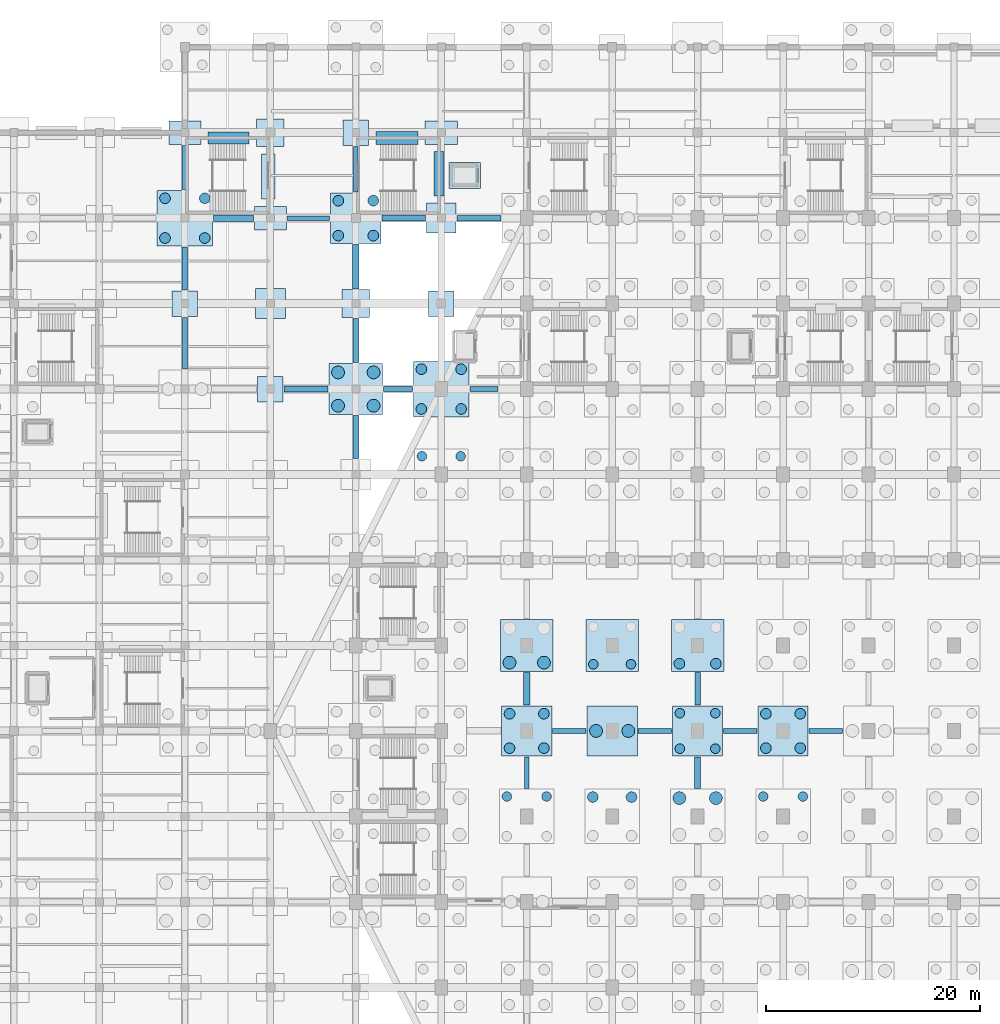
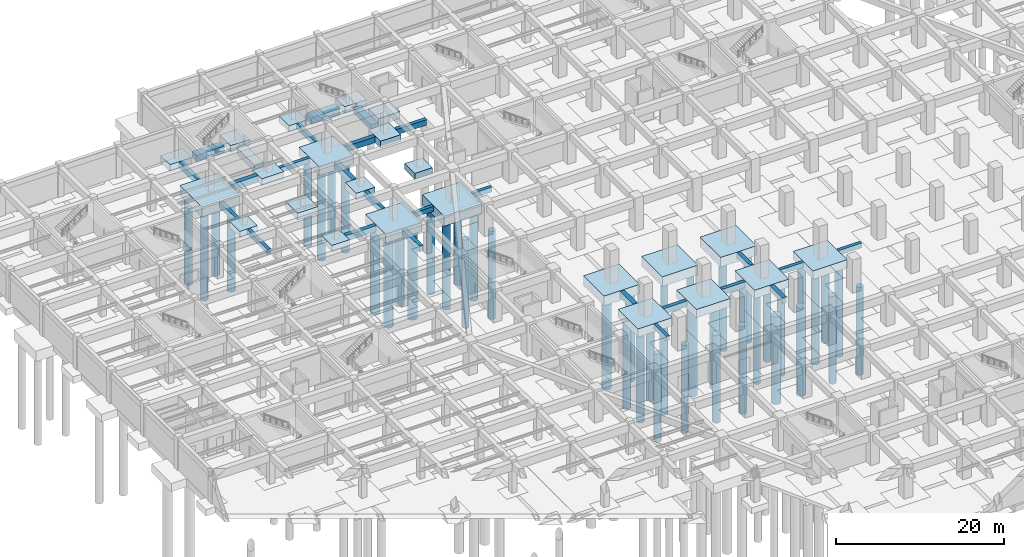
# One storey, part 8 of 36: 49 footings, 46 piles.
"""IFC4 building model written with IfcOpenShell, lengths in metres."""

from ifc_helpers import new_model, si_unit, direction, frame, origin, origin_2d, place, context, subcontext, project, spatial, rectangle, circle, extrude, material, material_profile, profile_set, type_object, element, save


model = new_model("IFC4")

# Units and contexts
model_context = context("Model", 3, precision=1e-05, world=origin(), true_north=direction((0.0, 1.0)))
body_context = subcontext(model_context, "Body", "Model", "MODEL_VIEW")
ifc_project = project(units=[si_unit("LENGTHUNIT", "METRE"), si_unit("AREAUNIT", "SQUARE_METRE"), si_unit("VOLUMEUNIT", "CUBIC_METRE"), si_unit("PLANEANGLEUNIT", "RADIAN"), si_unit("MASSUNIT", "GRAM", prefix="KILO")], contexts=[model_context])

# Site, building, storey
site_placement = place(None, origin())
site = spatial("IfcSite", under=ifc_project, at=site_placement, CompositionType="ELEMENT")
building_placement = place(site_placement, origin())
building = spatial("IfcBuilding", under=site, at=building_placement, Name="Tazarka Park Arena", CompositionType="ELEMENT")
storey_placement = place(building_placement, frame((0.0, 0.0, -4.800048828125)))
storey = spatial("IfcBuildingStorey", under=building, at=storey_placement, Name="B1", CompositionType="ELEMENT", Elevation=-4.800048828125)

# Footings
ifc_material_1 = material(Name="Concrete C35/45", Category="concrete")
footing_type_1 = type_object("IfcFootingType", Name="CAP-PC-01", PredefinedType="PILE_CAP", material=ifc_material_1)
for number, where, z_axis, x_axis, name in (
    (1, (64.0, 64.0, -1.19970703125), (0.0, 0.0, 1.0), (1.0, 0.0, 0.0), "CAP-G-08-08"),
    (2, (72.0, 64.0, -1.19970703125), (0.0, 0.0, 1.0), (1.0, 0.0, 0.0), "CAP-G-09-08"),
    (3, (80.0, 64.0, -1.19970703125), (0.0, 0.0, 1.0), (1.0, 0.0, 0.0), "CAP-G-10-08"),
    (4, (88.0, 64.0, -1.19970703125), (0.0, 0.0, 1.0), (1.0, 0.0, 0.0), "CAP-G-11-08"),
):
    element("IfcFooting", number, at=place(storey_placement, frame(where, z_axis=z_axis, x_axis=x_axis)), inside=storey, type_object=footing_type_1, Name=name, PredefinedType="PILE_CAP", context=body_context, shape_type="SweptSolid", body=[
        extrude(rectangle(XDim=4.699951171875, YDim=4.699951171875, at=origin_2d()), origin(), (0.0, 0.0, 1.0), 1.199951171875),
    ])
ifc_material_2 = material(Name="Concrete C35/45", Category="concrete")
footing_type_2 = type_object("IfcFootingType", Name="CAP-PC-02", PredefinedType="PILE_CAP", material=ifc_material_2)
for number, where, z_axis, x_axis, name in (
    (5, (64.0, 72.0, -1.39990234375), (0.0, 0.0, 1.0), (1.0, 0.0, 0.0), "CAP-G-08-09"),
    (6, (72.0, 72.0, -1.39990234375), (0.0, 0.0, 1.0), (1.0, 0.0, 0.0), "CAP-G-09-09"),
    (7, (80.0, 72.0, -1.39990234375), (0.0, 0.0, 1.0), (1.0, 0.0, 0.0), "CAP-G-10-09"),
):
    element("IfcFooting", number, at=place(storey_placement, frame(where, z_axis=z_axis, x_axis=x_axis)), inside=storey, type_object=footing_type_2, Name=name, PredefinedType="PILE_CAP", context=body_context, shape_type="SweptSolid", body=[
        extrude(rectangle(XDim=4.89990234375, YDim=4.89990234375, at=origin_2d()), origin(), (0.0, 0.0, 1.0), 1.39990234375),
    ])
ifc_material_3 = material(Name="Concrete C35/45", Category="concrete")
footing_type_3 = type_object("IfcFootingType", Name="CAP-PC-04", PredefinedType="PILE_CAP", material=ifc_material_3)
footing_1_placement = place(storey_placement, frame((48.0, 96.0, -1.2998046875), z_axis=(0.0, 0.0, 1.0), x_axis=(1.0, 0.0, 0.0)))
element("IfcFooting", 8, at=footing_1_placement, inside=storey, type_object=footing_type_3, Name="CAP-G-06-12", PredefinedType="PILE_CAP", context=body_context, shape_type="SweptSolid", body=[
    extrude(rectangle(XDim=5.0, YDim=4.800048828125, at=origin_2d()), origin(), (0.0, 0.0, 1.0), 1.300048828125),
])
ifc_material_4 = material(Name="Concrete C35/45", Category="concrete")
footing_type_4 = type_object("IfcFootingType", Name="CAP-PC-05", PredefinedType="PILE_CAP", material=ifc_material_4)
for number, where, z_axis, x_axis, name in (
    (9, (32.0, 112.0, -1.5), (0.0, 0.0, 1.0), (1.0, 0.0, 0.0), "CAP-G-04-14"),
    (10, (56.0, 96.0, -1.5), (0.0, 0.0, 1.0), (1.0, 0.0, 0.0), "CAP-G-07-12"),
):
    element("IfcFooting", number, at=place(storey_placement, frame(where, z_axis=z_axis, x_axis=x_axis)), inside=storey, type_object=footing_type_4, Name=name, PredefinedType="PILE_CAP", context=body_context, shape_type="SweptSolid", body=[
        extrude(rectangle(XDim=5.199951171875, YDim=5.199951171875, at=origin_2d()), origin(), (0.0, 0.0, 1.0), 1.5),
    ])
ifc_material_5 = material(Name="Concrete C35/45", Category="concrete")
footing_type_5 = type_object("IfcFootingType", Name="CAP-PC-06", PredefinedType="PILE_CAP", material=ifc_material_5)
footing_2_placement = place(storey_placement, frame((48.0, 112.0, -1.25), z_axis=(0.0, 0.0, 1.0), x_axis=(1.0, 0.0, 0.0)))
element("IfcFooting", 11, at=footing_2_placement, inside=storey, type_object=footing_type_5, Name="CAP-G-06-14", PredefinedType="PILE_CAP", context=body_context, shape_type="SweptSolid", body=[
    extrude(rectangle(XDim=4.75, YDim=4.75, at=origin_2d()), origin(), (0.0, 0.0, 1.0), 1.25),
])
ifc_material_6 = material(Name="Concrete C35/45", Category="concrete")
ifc_material_profile_1 = material_profile(ifc_material_6, rectangle(XDim=0.449951171875, YDim=0.699951171875, at=origin_2d()), Name="Concrete C35/45")
ifc_profile_set_1 = profile_set([ifc_material_profile_1], Name="Concrete C35/45")
footing_type_6 = type_object("IfcFootingType", Name="GB-GB-01", PredefinedType="FOOTING_BEAM", material=ifc_profile_set_1)
footing_3_placement = place(storey_placement, frame((32.0, 97.8798828125, -0.349853515625), z_axis=(0.0, 1.0, 0.0), x_axis=(-1.0, 0.0, 0.0)))
element("IfcFooting", 12, at=footing_3_placement, inside=storey, type_object=footing_type_6, Name="GB-Y-04-12", PredefinedType="FOOTING_BEAM", context=body_context, shape_type="SweptSolid", body=[
    extrude(rectangle(XDim=0.449951171875, YDim=0.699951171875, at=origin_2d()), origin(), (0.0, 0.0, 1.0), 4.840087890625),
])
footing_4_placement = place(storey_placement, frame((41.580078125, 112.0, -0.349853515625), z_axis=(1.0, 0.0, 0.0), x_axis=(0.0, 1.0, 0.0)))
element("IfcFooting", 13, at=footing_4_placement, inside=storey, type_object=footing_type_6, Name="GB-X-05-14", PredefinedType="FOOTING_BEAM", context=body_context, shape_type="SweptSolid", body=[
    extrude(rectangle(XDim=0.449951171875, YDim=0.699951171875, at=origin_2d()), origin(), (0.0, 0.0, 1.0), 3.96484375),
])
footing_5_placement = place(storey_placement, frame((50.580078125, 96.0, -0.349853515625), z_axis=(1.0, 0.0, 0.0), x_axis=(0.0, 1.0, 0.0)))
element("IfcFooting", 14, at=footing_5_placement, inside=storey, type_object=footing_type_6, Name="GB-X-06-12", PredefinedType="FOOTING_BEAM", context=body_context, shape_type="SweptSolid", body=[
    extrude(rectangle(XDim=0.449951171875, YDim=0.699951171875, at=origin_2d()), origin(), (0.0, 0.0, 1.0), 2.739990234375),
])
footing_6_placement = place(storey_placement, frame((48.0, 114.455078125, -0.349853515625), z_axis=(0.0, 1.0, 0.0), x_axis=(-1.0, 0.0, 0.0)))
element("IfcFooting", 15, at=footing_6_placement, inside=storey, type_object=footing_type_6, Name="GB-Y-06-14", PredefinedType="FOOTING_BEAM", context=body_context, shape_type="SweptSolid", body=[
    extrude(rectangle(XDim=0.449951171875, YDim=0.699951171875, at=origin_2d()), origin(), (0.0, 0.0, 1.0), 4.264892578125),
])
footing_7_placement = place(storey_placement, frame((58.679931640625, 96.0, -0.349853515625), z_axis=(1.0, 0.0, 0.0), x_axis=(0.0, 1.0, 0.0)))
element("IfcFooting", 16, at=footing_7_placement, inside=storey, type_object=footing_type_6, Name="GB-X-07-12", PredefinedType="FOOTING_BEAM", context=body_context, shape_type="SweptSolid", body=[
    extrude(rectangle(XDim=0.449951171875, YDim=0.699951171875, at=origin_2d()), origin(), (0.0, 0.0, 1.0), 2.64013671875),
])
footing_8_placement = place(storey_placement, frame((64.0, 58.6298828125, -0.349853515625), z_axis=(0.0, 1.0, 0.0), x_axis=(-1.0, 0.0, 0.0)))
element("IfcFooting", 17, at=footing_8_placement, inside=storey, type_object=footing_type_6, Name="GB-Y-08-07", PredefinedType="FOOTING_BEAM", context=body_context, shape_type="SweptSolid", body=[
    extrude(rectangle(XDim=0.449951171875, YDim=0.699951171875, at=origin_2d()), origin(), (0.0, 0.0, 1.0), 2.940185546875),
])
for number, where, z_axis, x_axis, name in (
    (18, (82.429931640625, 64.0, -0.349853515625), (1.0, 0.0, 0.0), (0.0, 1.0, 0.0), "GB-X-10-08"),
    (19, (90.429931640625, 64.0, -0.349853515625), (1.0, 0.0, 0.0), (0.0, 1.0, 0.0), "GB-X-11-08"),
):
    element("IfcFooting", number, at=place(storey_placement, frame(where, z_axis=z_axis, x_axis=x_axis)), inside=storey, type_object=footing_type_6, Name=name, PredefinedType="FOOTING_BEAM", context=body_context, shape_type="SweptSolid", body=[
        extrude(rectangle(XDim=0.449951171875, YDim=0.699951171875, at=origin_2d()), origin(), (0.0, 0.0, 1.0), 3.14013671875),
    ])
ifc_material_7 = material(Name="Concrete C35/45", Category="concrete")
ifc_material_profile_2 = material_profile(ifc_material_7, rectangle(XDim=0.5, YDim=0.800048828125, at=origin_2d()), Name="Concrete C35/45")
ifc_profile_set_2 = profile_set([ifc_material_profile_2], Name="Concrete C35/45")
footing_type_7 = type_object("IfcFootingType", Name="GB-GB-02", PredefinedType="FOOTING_BEAM", material=ifc_profile_set_2)
footing_9_placement = place(storey_placement, frame((32.0, 105.280029296875, -0.39990234375), z_axis=(0.0, 1.0, 0.0), x_axis=(-1.0, 0.0, 0.0)))
element("IfcFooting", 20, at=footing_9_placement, inside=storey, type_object=footing_type_7, Name="GB-Y-04-13", PredefinedType="FOOTING_BEAM", context=body_context, shape_type="SweptSolid", body=[
    extrude(rectangle(XDim=0.5, YDim=0.800048828125, at=origin_2d()), origin(), (0.0, 0.0, 1.0), 4.0400390625),
])
footing_10_placement = place(storey_placement, frame((48.0, 98.47998046875, -0.39990234375), z_axis=(0.0, 1.0, 0.0), x_axis=(-1.0, 0.0, 0.0)))
element("IfcFooting", 21, at=footing_10_placement, inside=storey, type_object=footing_type_7, Name="GB-Y-06-12", PredefinedType="FOOTING_BEAM", context=body_context, shape_type="SweptSolid", body=[
    extrude(rectangle(XDim=0.5, YDim=0.800048828125, at=origin_2d()), origin(), (0.0, 0.0, 1.0), 4.14013671875),
])
footing_11_placement = place(storey_placement, frame((57.47998046875, 112.0, -0.39990234375), z_axis=(1.0, 0.0, 0.0), x_axis=(0.0, 1.0, 0.0)))
element("IfcFooting", 22, at=footing_11_placement, inside=storey, type_object=footing_type_7, Name="GB-X-07-14", PredefinedType="FOOTING_BEAM", context=body_context, shape_type="SweptSolid", body=[
    extrude(rectangle(XDim=0.5, YDim=0.800048828125, at=origin_2d()), origin(), (0.0, 0.0, 1.0), 4.114990234375),
])
for number, where, z_axis, x_axis, name in (
    (23, (66.429931640625, 64.0, -0.39990234375), (1.0, 0.0, 0.0), (0.0, 1.0, 0.0), "GB-X-08-08"),
    (24, (74.429931640625, 64.0, -0.39990234375), (1.0, 0.0, 0.0), (0.0, 1.0, 0.0), "GB-X-09-08"),
):
    element("IfcFooting", number, at=place(storey_placement, frame(where, z_axis=z_axis, x_axis=x_axis)), inside=storey, type_object=footing_type_7, Name=name, PredefinedType="FOOTING_BEAM", context=body_context, shape_type="SweptSolid", body=[
        extrude(rectangle(XDim=0.5, YDim=0.800048828125, at=origin_2d()), origin(), (0.0, 0.0, 1.0), 3.14013671875),
    ])
footing_12_placement = place(storey_placement, frame((80.0, 66.429931640625, -0.39990234375), z_axis=(0.0, 1.0, 0.0), x_axis=(-1.0, 0.0, 0.0)))
element("IfcFooting", 25, at=footing_12_placement, inside=storey, type_object=footing_type_7, Name="GB-Y-10-08", PredefinedType="FOOTING_BEAM", context=body_context, shape_type="SweptSolid", body=[
    extrude(rectangle(XDim=0.5, YDim=0.800048828125, at=origin_2d()), origin(), (0.0, 0.0, 1.0), 3.0400390625),
])
ifc_material_8 = material(Name="Concrete C35/45", Category="concrete")
ifc_material_profile_3 = material_profile(ifc_material_8, rectangle(XDim=0.60009765625, YDim=0.949951171875, at=origin_2d()), Name="Concrete C35/45")
ifc_profile_set_3 = profile_set([ifc_material_profile_3], Name="Concrete C35/45")
footing_type_8 = type_object("IfcFootingType", Name="GB-GB-03", PredefinedType="FOOTING_BEAM", material=ifc_profile_set_3)
footing_13_placement = place(storey_placement, frame((34.679931640625, 112.0, -0.474853515625), z_axis=(1.0, 0.0, 0.0), x_axis=(0.0, 1.0, 0.0)))
element("IfcFooting", 26, at=footing_13_placement, inside=storey, type_object=footing_type_8, Name="GB-X-04-14", PredefinedType="FOOTING_BEAM", context=body_context, shape_type="SweptSolid", body=[
    extrude(rectangle(XDim=0.60009765625, YDim=0.949951171875, at=origin_2d()), origin(), (0.0, 0.0, 1.0), 3.739990234375),
])
footing_14_placement = place(storey_placement, frame((48.0, 105.3798828125, -0.474853515625), z_axis=(0.0, 1.0, 0.0), x_axis=(-1.0, 0.0, 0.0)))
element("IfcFooting", 27, at=footing_14_placement, inside=storey, type_object=footing_type_8, Name="GB-Y-06-13", PredefinedType="FOOTING_BEAM", context=body_context, shape_type="SweptSolid", body=[
    extrude(rectangle(XDim=0.60009765625, YDim=0.949951171875, at=origin_2d()), origin(), (0.0, 0.0, 1.0), 4.1650390625),
])
footing_15_placement = place(storey_placement, frame((64.0, 66.429931640625, -0.474853515625), z_axis=(0.0, 1.0, 0.0), x_axis=(-1.0, 0.0, 0.0)))
element("IfcFooting", 28, at=footing_15_placement, inside=storey, type_object=footing_type_8, Name="GB-Y-08-08", PredefinedType="FOOTING_BEAM", context=body_context, shape_type="SweptSolid", body=[
    extrude(rectangle(XDim=0.60009765625, YDim=0.949951171875, at=origin_2d()), origin(), (0.0, 0.0, 1.0), 3.0400390625),
])
ifc_material_9 = material(Name="Concrete C35/45", Category="concrete")
ifc_material_profile_4 = material_profile(ifc_material_9, rectangle(XDim=0.550048828125, YDim=0.85009765625, at=origin_2d()), Name="Concrete C35/45")
ifc_profile_set_4 = profile_set([ifc_material_profile_4], Name="Concrete C35/45")
footing_type_9 = type_object("IfcFootingType", Name="GB-GB-04", PredefinedType="FOOTING_BEAM", material=ifc_profile_set_4)
footing_16_placement = place(storey_placement, frame((32.0, 114.679931640625, -0.425048828125), z_axis=(0.0, 1.0, 0.0), x_axis=(-1.0, 0.0, 0.0)))
element("IfcFooting", 29, at=footing_16_placement, inside=storey, type_object=footing_type_9, Name="GB-Y-04-14", PredefinedType="FOOTING_BEAM", context=body_context, shape_type="SweptSolid", body=[
    extrude(rectangle(XDim=0.550048828125, YDim=0.85009765625, at=origin_2d()), origin(), (0.0, 0.0, 1.0), 4.14013671875),
])
footing_17_placement = place(storey_placement, frame((41.280029296875, 96.0, -0.425048828125), z_axis=(1.0, 0.0, 0.0), x_axis=(0.0, 1.0, 0.0)))
element("IfcFooting", 30, at=footing_17_placement, inside=storey, type_object=footing_type_9, Name="GB-X-05-12", PredefinedType="FOOTING_BEAM", context=body_context, shape_type="SweptSolid", body=[
    extrude(rectangle(XDim=0.550048828125, YDim=0.85009765625, at=origin_2d()), origin(), (0.0, 0.0, 1.0), 4.139892578125),
])
footing_18_placement = place(storey_placement, frame((48.0, 89.47998046875, -0.425048828125), z_axis=(0.0, 1.0, 0.0), x_axis=(-1.0, 0.0, 0.0)))
element("IfcFooting", 31, at=footing_18_placement, inside=storey, type_object=footing_type_9, Name="GB-Y-06-11", PredefinedType="FOOTING_BEAM", context=body_context, shape_type="SweptSolid", body=[
    extrude(rectangle(XDim=0.550048828125, YDim=0.85009765625, at=origin_2d()), origin(), (0.0, 0.0, 1.0), 4.0400390625),
])
footing_19_placement = place(storey_placement, frame((50.455078125, 112.0, -0.425048828125), z_axis=(1.0, 0.0, 0.0), x_axis=(0.0, 1.0, 0.0)))
element("IfcFooting", 32, at=footing_19_placement, inside=storey, type_object=footing_type_9, Name="GB-X-06-14", PredefinedType="FOOTING_BEAM", context=body_context, shape_type="SweptSolid", body=[
    extrude(rectangle(XDim=0.550048828125, YDim=0.85009765625, at=origin_2d()), origin(), (0.0, 0.0, 1.0), 4.06494140625),
])
footing_20_placement = place(storey_placement, frame((80.0, 58.6298828125, -0.425048828125), z_axis=(0.0, 1.0, 0.0), x_axis=(-1.0, 0.0, 0.0)))
element("IfcFooting", 33, at=footing_20_placement, inside=storey, type_object=footing_type_9, Name="GB-Y-10-07", PredefinedType="FOOTING_BEAM", context=body_context, shape_type="SweptSolid", body=[
    extrude(rectangle(XDim=0.550048828125, YDim=0.85009765625, at=origin_2d()), origin(), (0.0, 0.0, 1.0), 2.940185546875),
])
ifc_material_10 = material(Name="Concrete C35/45", Category="concrete")
footing_type_10 = type_object("IfcFootingType", Name="PAD-PF-01", PredefinedType="PAD_FOOTING", material=ifc_material_10)
for number, where, z_axis, x_axis, name in (
    (34, (32.0, 104.0, -0.89990234375), (0.0, 0.0, 1.0), (1.0, 0.0, 0.0), "PAD-G-04-13"),
    (35, (40.0, 96.0, -0.89990234375), (0.0, 0.0, 1.0), (1.0, 0.0, 0.0), "PAD-G-05-12"),
    (36, (48.0, 120.0, -0.89990234375), (0.0, 0.0, 1.0), (1.0, 0.0, 0.0), "PAD-G-06-15"),
    (37, (56.0, 104.0, -0.89990234375), (0.0, 0.0, 1.0), (1.0, 0.0, 0.0), "PAD-G-07-13"),
):
    element("IfcFooting", number, at=place(storey_placement, frame(where, z_axis=z_axis, x_axis=x_axis)), inside=storey, type_object=footing_type_10, Name=name, PredefinedType="PAD_FOOTING", context=body_context, shape_type="SweptSolid", body=[
        extrude(rectangle(XDim=2.39990234375, YDim=2.39990234375, at=origin_2d()), origin(), (0.0, 0.0, 1.0), 0.89990234375),
    ])
ifc_material_11 = material(Name="Concrete C35/45", Category="concrete")
footing_type_11 = type_object("IfcFootingType", Name="PAD-PF-02", PredefinedType="PAD_FOOTING", material=ifc_material_11)
for number, where, z_axis, x_axis, name in (
    (38, (40.0, 104.0, -1.0), (0.0, 0.0, 1.0), (1.0, 0.0, 0.0), "PAD-G-05-13"),
    (39, (56.0, 112.0, -1.0), (0.0, 0.0, 1.0), (1.0, 0.0, 0.0), "PAD-G-07-14"),
):
    element("IfcFooting", number, at=place(storey_placement, frame(where, z_axis=z_axis, x_axis=x_axis)), inside=storey, type_object=footing_type_11, Name=name, PredefinedType="PAD_FOOTING", context=body_context, shape_type="SweptSolid", body=[
        extrude(rectangle(XDim=2.800048828125, YDim=2.800048828125, at=origin_2d()), origin(), (0.0, 0.0, 1.0), 1.0),
    ])
ifc_material_12 = material(Name="Concrete C35/45", Category="concrete")
footing_type_12 = type_object("IfcFootingType", Name="PAD-PF-03", PredefinedType="PAD_FOOTING", material=ifc_material_12)
for number, where, z_axis, x_axis, name in (
    (40, (32.0, 120.0, -0.94970703125), (0.0, 0.0, 1.0), (1.0, 0.0, 0.0), "PAD-G-04-15"),
    (41, (40.0, 112.0, -0.94970703125), (0.0, 0.0, 1.0), (1.0, 0.0, 0.0), "PAD-G-05-14"),
    (42, (56.0, 120.0, -0.94970703125), (0.0, 0.0, 1.0), (1.0, 0.0, 0.0), "PAD-G-07-15"),
):
    element("IfcFooting", number, at=place(storey_placement, frame(where, z_axis=z_axis, x_axis=x_axis)), inside=storey, type_object=footing_type_12, Name=name, PredefinedType="PAD_FOOTING", context=body_context, shape_type="SweptSolid", body=[
        extrude(rectangle(XDim=3.0, YDim=2.199951171875, at=origin_2d()), origin(), (0.0, 0.0, 1.0), 0.949951171875),
    ])
ifc_material_13 = material(Name="Concrete C35/45", Category="concrete")
footing_type_13 = type_object("IfcFootingType", Name="PAD-PF-04", PredefinedType="PAD_FOOTING", material=ifc_material_13)
for number, where, z_axis, x_axis, name in (
    (43, (40.0, 120.0, -0.919921875), (0.0, 0.0, 1.0), (1.0, 0.0, 0.0), "PAD-G-05-15"),
    (44, (48.0, 104.0, -0.919921875), (0.0, 0.0, 1.0), (1.0, 0.0, 0.0), "PAD-G-06-13"),
):
    element("IfcFooting", number, at=place(storey_placement, frame(where, z_axis=z_axis, x_axis=x_axis)), inside=storey, type_object=footing_type_13, Name=name, PredefinedType="PAD_FOOTING", context=body_context, shape_type="SweptSolid", body=[
        extrude(rectangle(XDim=2.60009765625, YDim=2.60009765625, at=origin_2d()), origin(), (0.0, 0.0, 1.0), 0.919921875),
    ])
ifc_material_14 = material(Name="Concrete C35/45", Category="concrete")
footing_type_14 = type_object("IfcFootingType", Name="PAD-PF-05", PredefinedType="PAD_FOOTING", material=ifc_material_14)
footing_21_placement = place(storey_placement, frame((58.199951171875, 116.0, -1.0498046875), z_axis=(0.0, 0.0, 1.0), x_axis=(1.0, 0.0, 0.0)))
element("IfcFooting", 45, at=footing_21_placement, inside=storey, type_object=footing_type_14, Name="PAD-LF-LF-07", PredefinedType="PAD_FOOTING", context=body_context, shape_type="SweptSolid", body=[
    extrude(rectangle(XDim=2.93994140625, YDim=2.43994140625, at=origin_2d()), origin(), (0.0, 0.0, 1.0), 1.050048828125),
])

# Piles
ifc_material_15 = material(Name="Concrete C35/45", Category="concrete")
ifc_material_profile_5 = material_profile(ifc_material_15, circle(Radius=0.5, at=origin_2d()), Name="Concrete C35/45")
ifc_profile_set_5 = profile_set([ifc_material_profile_5], Name="Concrete C35/45")
pile_type_1 = type_object("IfcPileType", Name="PILE-D1000", PredefinedType="BORED", material=ifc_profile_set_5)
for number, where, z_axis, x_axis, name in (
    (46, (30.139892578125, 110.139892578125, -1.39990234375), (0.0, 0.0, -1.0), (1.0, 0.0, 0.0), "PLN-G-04-14-1"),
    (47, (33.860107421875, 110.139892578125, -1.39990234375), (0.0, 0.0, -1.0), (1.0, 0.0, 0.0), "PLN-G-04-14-2"),
    (48, (30.139892578125, 113.860107421875, -1.39990234375), (0.0, 0.0, -1.0), (1.0, 0.0, 0.0), "PLN-G-04-14-3"),
    (49, (33.860107421875, 113.860107421875, -1.39990234375), (0.0, 0.0, -1.0), (1.0, 0.0, 0.0), "PLN-G-04-14-4"),
):
    element("IfcPile", number, at=place(storey_placement, frame(where, z_axis=z_axis, x_axis=x_axis)), inside=storey, type_object=pile_type_1, Name=name, PredefinedType="BORED", context=body_context, shape_type="SweptSolid", body=[
        extrude(circle(Radius=0.5, at=origin_2d()), origin(), (0.0, 0.0, 1.0), 12.60009765625),
    ])
for number, where, z_axis, x_axis, name in (
    (50, (46.364990234375, 110.364990234375, -1.14990234375), (0.0, 0.0, -1.0), (1.0, 0.0, 0.0), "PLN-G-06-14-1"),
    (51, (49.635009765625, 110.364990234375, -1.14990234375), (0.0, 0.0, -1.0), (1.0, 0.0, 0.0), "PLN-G-06-14-2"),
    (52, (46.364990234375, 113.635009765625, -1.14990234375), (0.0, 0.0, -1.0), (1.0, 0.0, 0.0), "PLN-G-06-14-3"),
    (53, (49.635009765625, 113.635009765625, -1.14990234375), (0.0, 0.0, -1.0), (1.0, 0.0, 0.0), "PLN-G-06-14-4"),
):
    element("IfcPile", number, at=place(storey_placement, frame(where, z_axis=z_axis, x_axis=x_axis)), inside=storey, type_object=pile_type_1, Name=name, PredefinedType="BORED", context=body_context, shape_type="SweptSolid", body=[
        extrude(circle(Radius=0.5, at=origin_2d()), origin(), (0.0, 0.0, 1.0), 12.85009765625),
    ])
for number, where, z_axis, x_axis, name in (
    (54, (54.139892578125, 94.139892578125, -1.39990234375), (0.0, 0.0, -1.0), (1.0, 0.0, 0.0), "PLN-G-07-12-1"),
    (55, (57.860107421875, 94.139892578125, -1.39990234375), (0.0, 0.0, -1.0), (1.0, 0.0, 0.0), "PLN-G-07-12-2"),
    (56, (54.139892578125, 97.860107421875, -1.39990234375), (0.0, 0.0, -1.0), (1.0, 0.0, 0.0), "PLN-G-07-12-3"),
    (57, (57.860107421875, 97.860107421875, -1.39990234375), (0.0, 0.0, -1.0), (1.0, 0.0, 0.0), "PLN-G-07-12-4"),
):
    element("IfcPile", number, at=place(storey_placement, frame(where, z_axis=z_axis, x_axis=x_axis)), inside=storey, type_object=pile_type_1, Name=name, PredefinedType="BORED", context=body_context, shape_type="SweptSolid", body=[
        extrude(circle(Radius=0.5, at=origin_2d()), origin(), (0.0, 0.0, 1.0), 12.60009765625),
    ])
for number, where, z_axis, x_axis, name in (
    (58, (62.389892578125, 62.389892578125, -1.099853515625), (0.0, 0.0, -1.0), (1.0, 0.0, 0.0), "PLN-G-08-08-1"),
    (59, (65.610107421875, 62.389892578125, -1.099853515625), (0.0, 0.0, -1.0), (1.0, 0.0, 0.0), "PLN-G-08-08-2"),
    (60, (62.389892578125, 65.610107421875, -1.099853515625), (0.0, 0.0, -1.0), (1.0, 0.0, 0.0), "PLN-G-08-08-3"),
    (61, (65.610107421875, 65.610107421875, -1.099853515625), (0.0, 0.0, -1.0), (1.0, 0.0, 0.0), "PLN-G-08-08-4"),
):
    element("IfcPile", number, at=place(storey_placement, frame(where, z_axis=z_axis, x_axis=x_axis)), inside=storey, type_object=pile_type_1, Name=name, PredefinedType="BORED", context=body_context, shape_type="SweptSolid", body=[
        extrude(circle(Radius=0.5, at=origin_2d()), origin(), (0.0, 0.0, 1.0), 12.89990234375),
    ])
for number, where, z_axis, x_axis, name in (
    (62, (70.18994140625, 57.81005859375, -1.25), (0.0, 0.0, -1.0), (1.0, 0.0, 0.0), "PLN-G-09-07-3"),
    (63, (73.81005859375, 57.81005859375, -1.25), (0.0, 0.0, -1.0), (1.0, 0.0, 0.0), "PLN-G-09-07-4"),
):
    element("IfcPile", number, at=place(storey_placement, frame(where, z_axis=z_axis, x_axis=x_axis)), inside=storey, type_object=pile_type_1, Name=name, PredefinedType="BORED", context=body_context, shape_type="SweptSolid", body=[
        extrude(circle(Radius=0.5, at=origin_2d()), origin(), (0.0, 0.0, 1.0), 12.75),
    ])
for number, where, z_axis, x_axis, name in (
    (64, (78.2900390625, 70.2900390625, -1.300048828125), (0.0, 0.0, -1.0), (1.0, 0.0, 0.0), "PLN-G-10-09-1"),
    (65, (81.7099609375, 70.2900390625, -1.300048828125), (0.0, 0.0, -1.0), (1.0, 0.0, 0.0), "PLN-G-10-09-2"),
):
    element("IfcPile", number, at=place(storey_placement, frame(where, z_axis=z_axis, x_axis=x_axis)), inside=storey, type_object=pile_type_1, Name=name, PredefinedType="BORED", context=body_context, shape_type="SweptSolid", body=[
        extrude(circle(Radius=0.5, at=origin_2d()), origin(), (0.0, 0.0, 1.0), 12.699951171875),
    ])
for number, where, z_axis, x_axis, name in (
    (66, (86.389892578125, 62.389892578125, -1.099853515625), (0.0, 0.0, -1.0), (1.0, 0.0, 0.0), "PLN-G-11-08-1"),
    (67, (89.610107421875, 62.389892578125, -1.099853515625), (0.0, 0.0, -1.0), (1.0, 0.0, 0.0), "PLN-G-11-08-2"),
    (68, (86.389892578125, 65.610107421875, -1.099853515625), (0.0, 0.0, -1.0), (1.0, 0.0, 0.0), "PLN-G-11-08-3"),
    (69, (89.610107421875, 65.610107421875, -1.099853515625), (0.0, 0.0, -1.0), (1.0, 0.0, 0.0), "PLN-G-11-08-4"),
):
    element("IfcPile", number, at=place(storey_placement, frame(where, z_axis=z_axis, x_axis=x_axis)), inside=storey, type_object=pile_type_1, Name=name, PredefinedType="BORED", context=body_context, shape_type="SweptSolid", body=[
        extrude(circle(Radius=0.5, at=origin_2d()), origin(), (0.0, 0.0, 1.0), 12.89990234375),
    ])
ifc_material_16 = material(Name="Concrete C35/45", Category="concrete")
ifc_material_profile_6 = material_profile(ifc_material_16, circle(Radius=0.60009765625, at=origin_2d()), Name="Concrete C35/45")
ifc_profile_set_6 = profile_set([ifc_material_profile_6], Name="Concrete C35/45")
pile_type_2 = type_object("IfcPileType", Name="PILE-D1200", PredefinedType="BORED", material=ifc_profile_set_6)
for number, where, z_axis, x_axis, name in (
    (70, (46.340087890625, 94.43994140625, -1.199951171875), (0.0, 0.0, -1.0), (1.0, 0.0, 0.0), "PLN-G-06-12-1"),
    (71, (49.659912109375, 94.43994140625, -1.199951171875), (0.0, 0.0, -1.0), (1.0, 0.0, 0.0), "PLN-G-06-12-2"),
    (72, (46.340087890625, 97.56005859375, -1.199951171875), (0.0, 0.0, -1.0), (1.0, 0.0, 0.0), "PLN-G-06-12-3"),
    (73, (49.659912109375, 97.56005859375, -1.199951171875), (0.0, 0.0, -1.0), (1.0, 0.0, 0.0), "PLN-G-06-12-4"),
):
    element("IfcPile", number, at=place(storey_placement, frame(where, z_axis=z_axis, x_axis=x_axis)), inside=storey, type_object=pile_type_2, Name=name, PredefinedType="BORED", context=body_context, shape_type="SweptSolid", body=[
        extrude(circle(Radius=0.60009765625, at=origin_2d()), origin(), (0.0, 0.0, 1.0), 12.800048828125),
    ])
for number, where, z_axis, x_axis, name in (
    (74, (62.389892578125, 70.389892578125, -1.300048828125), (0.0, 0.0, -1.0), (1.0, 0.0, 0.0), "PLN-G-08-09-1"),
    (75, (65.610107421875, 70.389892578125, -1.300048828125), (0.0, 0.0, -1.0), (1.0, 0.0, 0.0), "PLN-G-08-09-2"),
):
    element("IfcPile", number, at=place(storey_placement, frame(where, z_axis=z_axis, x_axis=x_axis)), inside=storey, type_object=pile_type_2, Name=name, PredefinedType="BORED", context=body_context, shape_type="SweptSolid", body=[
        extrude(circle(Radius=0.60009765625, at=origin_2d()), origin(), (0.0, 0.0, 1.0), 12.699951171875),
    ])
for number, where, z_axis, x_axis, name in (
    (76, (70.489990234375, 64.0, -1.099853515625), (0.0, 0.0, -1.0), (1.0, 0.0, 0.0), "PLN-G-09-08-1"),
    (77, (73.510009765625, 64.0, -1.099853515625), (0.0, 0.0, -1.0), (1.0, 0.0, 0.0), "PLN-G-09-08-2"),
):
    element("IfcPile", number, at=place(storey_placement, frame(where, z_axis=z_axis, x_axis=x_axis)), inside=storey, type_object=pile_type_2, Name=name, PredefinedType="BORED", context=body_context, shape_type="SweptSolid", body=[
        extrude(circle(Radius=0.60009765625, at=origin_2d()), origin(), (0.0, 0.0, 1.0), 12.89990234375),
    ])
for number, where, z_axis, x_axis, name in (
    (78, (78.2900390625, 57.7099609375, -1.25), (0.0, 0.0, -1.0), (1.0, 0.0, 0.0), "PLN-G-10-07-3"),
    (79, (81.7099609375, 57.7099609375, -1.25), (0.0, 0.0, -1.0), (1.0, 0.0, 0.0), "PLN-G-10-07-4"),
):
    element("IfcPile", number, at=place(storey_placement, frame(where, z_axis=z_axis, x_axis=x_axis)), inside=storey, type_object=pile_type_2, Name=name, PredefinedType="BORED", context=body_context, shape_type="SweptSolid", body=[
        extrude(circle(Radius=0.60009765625, at=origin_2d()), origin(), (0.0, 0.0, 1.0), 12.75),
    ])
ifc_material_17 = material(Name="Concrete C35/45", Category="concrete")
ifc_material_profile_7 = material_profile(ifc_material_17, circle(Radius=0.449951171875, at=origin_2d()), Name="Concrete C35/45")
ifc_profile_set_7 = profile_set([ifc_material_profile_7], Name="Concrete C35/45")
pile_type_3 = type_object("IfcPileType", Name="PILE-D900", PredefinedType="BORED", material=ifc_profile_set_7)
for number, where, z_axis, x_axis, name in (
    (80, (54.18994140625, 89.7099609375, -1.199951171875), (0.0, 0.0, -1.0), (1.0, 0.0, 0.0), "PLN-G-07-11-3"),
    (81, (57.81005859375, 89.7099609375, -1.199951171875), (0.0, 0.0, -1.0), (1.0, 0.0, 0.0), "PLN-G-07-11-4"),
):
    element("IfcPile", number, at=place(storey_placement, frame(where, z_axis=z_axis, x_axis=x_axis)), inside=storey, type_object=pile_type_3, Name=name, PredefinedType="BORED", context=body_context, shape_type="SweptSolid", body=[
        extrude(circle(Radius=0.449951171875, at=origin_2d()), origin(), (0.0, 0.0, 1.0), 12.800048828125),
    ])
for number, where, z_axis, x_axis, name in (
    (82, (62.139892578125, 57.860107421875, -1.25), (0.0, 0.0, -1.0), (1.0, 0.0, 0.0), "PLN-G-08-07-3"),
    (83, (65.860107421875, 57.860107421875, -1.25), (0.0, 0.0, -1.0), (1.0, 0.0, 0.0), "PLN-G-08-07-4"),
):
    element("IfcPile", number, at=place(storey_placement, frame(where, z_axis=z_axis, x_axis=x_axis)), inside=storey, type_object=pile_type_3, Name=name, PredefinedType="BORED", context=body_context, shape_type="SweptSolid", body=[
        extrude(circle(Radius=0.449951171875, at=origin_2d()), origin(), (0.0, 0.0, 1.0), 12.75),
    ])
for number, where, z_axis, x_axis, name in (
    (84, (70.239990234375, 70.239990234375, -1.300048828125), (0.0, 0.0, -1.0), (1.0, 0.0, 0.0), "PLN-G-09-09-1"),
    (85, (73.760009765625, 70.239990234375, -1.300048828125), (0.0, 0.0, -1.0), (1.0, 0.0, 0.0), "PLN-G-09-09-2"),
):
    element("IfcPile", number, at=place(storey_placement, frame(where, z_axis=z_axis, x_axis=x_axis)), inside=storey, type_object=pile_type_3, Name=name, PredefinedType="BORED", context=body_context, shape_type="SweptSolid", body=[
        extrude(circle(Radius=0.449951171875, at=origin_2d()), origin(), (0.0, 0.0, 1.0), 12.699951171875),
    ])
for number, where, z_axis, x_axis, name in (
    (86, (78.340087890625, 62.340087890625, -1.099853515625), (0.0, 0.0, -1.0), (1.0, 0.0, 0.0), "PLN-G-10-08-1"),
    (87, (81.659912109375, 62.340087890625, -1.099853515625), (0.0, 0.0, -1.0), (1.0, 0.0, 0.0), "PLN-G-10-08-2"),
    (88, (78.340087890625, 65.659912109375, -1.099853515625), (0.0, 0.0, -1.0), (1.0, 0.0, 0.0), "PLN-G-10-08-3"),
    (89, (81.659912109375, 65.659912109375, -1.099853515625), (0.0, 0.0, -1.0), (1.0, 0.0, 0.0), "PLN-G-10-08-4"),
):
    element("IfcPile", number, at=place(storey_placement, frame(where, z_axis=z_axis, x_axis=x_axis)), inside=storey, type_object=pile_type_3, Name=name, PredefinedType="BORED", context=body_context, shape_type="SweptSolid", body=[
        extrude(circle(Radius=0.449951171875, at=origin_2d()), origin(), (0.0, 0.0, 1.0), 12.89990234375),
    ])
for number, where, z_axis, x_axis, name in (
    (90, (86.139892578125, 57.860107421875, -1.25), (0.0, 0.0, -1.0), (1.0, 0.0, 0.0), "PLN-G-11-07-3"),
    (91, (89.860107421875, 57.860107421875, -1.25), (0.0, 0.0, -1.0), (1.0, 0.0, 0.0), "PLN-G-11-07-4"),
):
    element("IfcPile", number, at=place(storey_placement, frame(where, z_axis=z_axis, x_axis=x_axis)), inside=storey, type_object=pile_type_3, Name=name, PredefinedType="BORED", context=body_context, shape_type="SweptSolid", body=[
        extrude(circle(Radius=0.449951171875, at=origin_2d()), origin(), (0.0, 0.0, 1.0), 12.75),
    ])

# Footings
ifc_material_18 = material(Name="Concrete C35/45", Category="concrete")
ifc_material_profile_8 = material_profile(ifc_material_18, rectangle(XDim=0.949951171875, YDim=0.85009765625, at=origin_2d()), Name="Concrete C35/45")
ifc_profile_set_8 = profile_set([ifc_material_profile_8], Name="Concrete C35/45")
footing_type_15 = type_object("IfcFootingType", Name="SF-SF-01", PredefinedType="STRIP_FOOTING", material=ifc_profile_set_8)
footing_22_placement = place(storey_placement, frame((55.800048828125, 118.219970703125, -0.425048828125), z_axis=(0.0, -1.0, 0.0), x_axis=(1.0, 0.0, 0.0)))
element("IfcFooting", 92, at=footing_22_placement, inside=storey, type_object=footing_type_15, Name="SF-ST05-E-1", PredefinedType="STRIP_FOOTING", context=body_context, shape_type="SweptSolid", body=[
    extrude(rectangle(XDim=0.949951171875, YDim=0.85009765625, at=origin_2d()), origin(), (0.0, 0.0, 1.0), 4.139892578125),
])
ifc_material_19 = material(Name="Concrete C35/45", Category="concrete")
ifc_material_profile_9 = material_profile(ifc_material_19, rectangle(XDim=1.10009765625, YDim=0.89990234375, at=origin_2d()), Name="Concrete C35/45")
ifc_profile_set_9 = profile_set([ifc_material_profile_9], Name="Concrete C35/45")
footing_type_16 = type_object("IfcFootingType", Name="SF-SF-02", PredefinedType="STRIP_FOOTING", material=ifc_profile_set_9)
footing_23_placement = place(storey_placement, frame((34.179931640625, 119.5, -0.449951171875), z_axis=(1.0, 0.0, 0.0), x_axis=(0.0, 1.0, 0.0)))
element("IfcFooting", 93, at=footing_23_placement, inside=storey, type_object=footing_type_16, Name="SF-ST04-N-1", PredefinedType="STRIP_FOOTING", context=body_context, shape_type="SweptSolid", body=[
    extrude(rectangle(XDim=1.10009765625, YDim=0.89990234375, at=origin_2d()), origin(), (0.0, 0.0, 1.0), 3.840087890625),
])
ifc_material_20 = material(Name="Concrete C35/45", Category="concrete")
ifc_material_profile_10 = material_profile(ifc_material_20, rectangle(XDim=1.25, YDim=0.949951171875, at=origin_2d()), Name="Concrete C35/45")
ifc_profile_set_10 = profile_set([ifc_material_profile_10], Name="Concrete C35/45")
footing_type_17 = type_object("IfcFootingType", Name="SF-SF-03", PredefinedType="STRIP_FOOTING", material=ifc_profile_set_10)
footing_24_placement = place(storey_placement, frame((39.800048828125, 118.02001953125, -0.474853515625), z_axis=(0.0, -1.0, 0.0), x_axis=(1.0, 0.0, 0.0)))
element("IfcFooting", 94, at=footing_24_placement, inside=storey, type_object=footing_type_17, Name="SF-ST04-E-1", PredefinedType="STRIP_FOOTING", context=body_context, shape_type="SweptSolid", body=[
    extrude(rectangle(XDim=1.25, YDim=0.949951171875, at=origin_2d()), origin(), (0.0, 0.0, 1.0), 4.239990234375),
])
footing_25_placement = place(storey_placement, frame((49.8798828125, 119.5, -0.474853515625), z_axis=(1.0, 0.0, 0.0), x_axis=(0.0, 1.0, 0.0)))
element("IfcFooting", 95, at=footing_25_placement, inside=storey, type_object=footing_type_17, Name="SF-ST05-N-1", PredefinedType="STRIP_FOOTING", context=body_context, shape_type="SweptSolid", body=[
    extrude(rectangle(XDim=1.25, YDim=0.949951171875, at=origin_2d()), origin(), (0.0, 0.0, 1.0), 3.940185546875),
])

save(model, "model.ifc")
